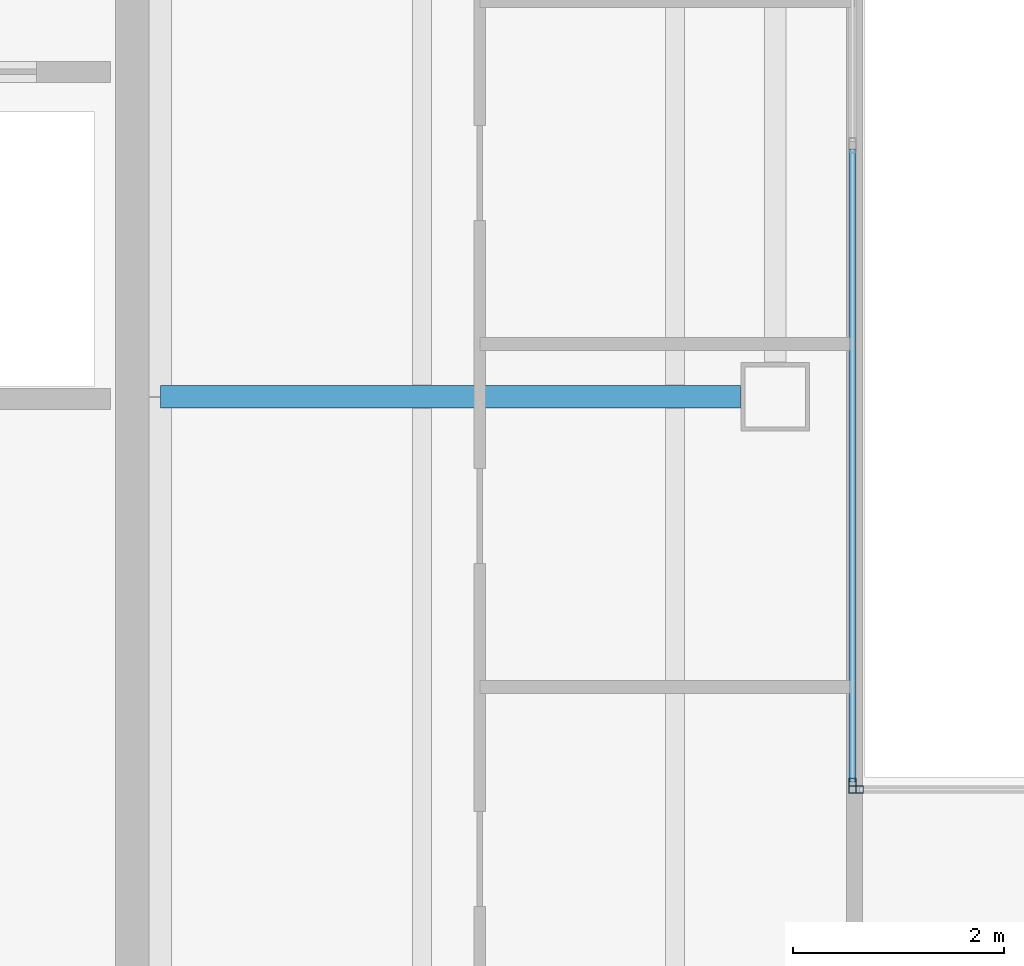
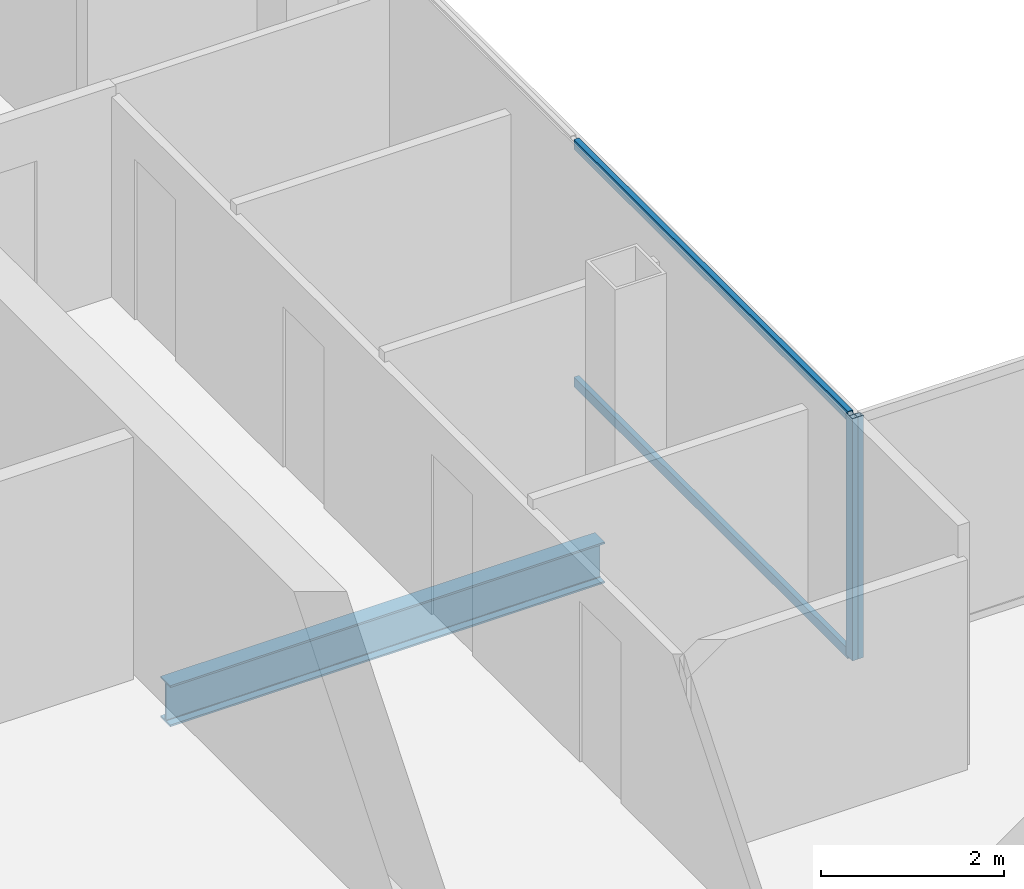
# One storey, part 8 of 23: 4 members, 1 beam, 2 elements without a shape of their own.
"""IFC4 building model written with IfcOpenShell, lengths in metres."""

import ifcopenshell
import ifcopenshell.guid

model = None  # the IFC model being written
_history = None  # IfcOwnerHistory: only IFC2X3 demands one
_inside = {}  # id of a spatial element -> (the spatial element, [elements in it])
_under = {}  # id of a project, library or spatial element -> (it, [spatial elements below it])
_declared = {}  # id of a project -> (the project, [libraries it declares])
_typed = {}  # id of a type object -> (the type object, [elements of that type])
_made_of = {}  # id of a material, layer set ... -> (it, [elements and type objects made of it])


def new_model(schema):
    """Start an empty IFC model of exactly this schema.

    Asked for "IFC4X3", IfcOpenShell would pick the latest addendum, in which some entities
    have other attributes; the version numbers below select the first issue.
    IFC2X3 requires an IfcOwnerHistory on every rooted entity: one is made here for all.
    """
    global model, _history
    if schema == "IFC4X3":
        model = ifcopenshell.file(schema_version=(4, 3, 0, 0))
    else:
        model = ifcopenshell.file(schema=schema)
    _inside.clear()
    _under.clear()
    _declared.clear()
    _typed.clear()
    _made_of.clear()
    _history = None
    if model.schema == "IFC2X3":
        org = make("IfcOrganization", Name="unknown")
        user = make(
            "IfcPersonAndOrganization",
            ThePerson=make("IfcPerson", FamilyName="unknown"),
            TheOrganization=org,
        )
        app = make(
            "IfcApplication",
            ApplicationDeveloper=org,
            Version="unknown",
            ApplicationFullName="unknown",
            ApplicationIdentifier="unknown",
        )
        _history = make(
            "IfcOwnerHistory",
            OwningUser=user,
            OwningApplication=app,
            ChangeAction="ADDED",
            CreationDate=0,
        )
    return model


def make(cls, **values):
    """One entity of the class cls with the attributes given. An attribute that is None is left unset."""
    return model.create_entity(
        cls, **{name: value for name, value in values.items() if value is not None}
    )


def rooted(cls, **values):
    """An entity with a GlobalId (a new one), such as an element, a storey or a relation."""
    return make(cls, GlobalId=ifcopenshell.guid.new(), OwnerHistory=_history, **values)


def si_unit(unit_type, name, prefix=None):
    """IfcSIUnit, for example si_unit("LENGTHUNIT", "METRE", prefix="MILLI")."""
    return make("IfcSIUnit", UnitType=unit_type, Prefix=prefix, Name=name)


def assignment(units):
    """IfcUnitAssignment: the units of a project."""
    return None if units is None else make("IfcUnitAssignment", Units=units)


def point(xyz):
    """IfcCartesianPoint."""
    return None if xyz is None else make("IfcCartesianPoint", Coordinates=xyz)


def direction(xyz):
    """IfcDirection."""
    return None if xyz is None else make("IfcDirection", DirectionRatios=xyz)


def frame(location, z_axis=None, x_axis=None):
    """IfcAxis2Placement3D, a coordinate frame: its origin and axes. An axis left out is left unset."""
    return make(
        "IfcAxis2Placement3D",
        Location=point(location),
        Axis=direction(z_axis),
        RefDirection=direction(x_axis),
    )


def frame_2d(location, x_axis=None):
    """IfcAxis2Placement2D, a coordinate frame in the plane: its origin and x axis."""
    return make(
        "IfcAxis2Placement2D", Location=point(location), RefDirection=direction(x_axis)
    )


def origin():
    """The frame at (0, 0, 0) with its axes left unset."""
    return frame((0.0, 0.0, 0.0))


def origin_2d():
    """The frame at (0, 0) in the plane with its x axis left unset."""
    return frame_2d((0.0, 0.0))


def place(relative_to, where):
    """IfcLocalPlacement: puts the frame where relative to a parent placement (None: the world)."""
    return make(
        "IfcLocalPlacement", PlacementRelTo=relative_to, RelativePlacement=where
    )


def context(
    kind, dimensions, precision=None, world=None, true_north=None, identifier=None
):
    """IfcGeometricRepresentationContext, for example the 3D "Model" context."""
    return make(
        "IfcGeometricRepresentationContext",
        ContextIdentifier=identifier,
        ContextType=kind,
        CoordinateSpaceDimension=dimensions,
        Precision=precision,
        WorldCoordinateSystem=world,
        TrueNorth=true_north,
    )


def subcontext(parent, identifier, kind, view, scale=None):
    """IfcGeometricRepresentationSubContext, for example "Body" below "Model"."""
    return make(
        "IfcGeometricRepresentationSubContext",
        ContextIdentifier=identifier,
        ContextType=kind,
        ParentContext=parent,
        TargetScale=scale,
        TargetView=view,
    )


def project(units=None, contexts=None):
    """IfcProject with its units and contexts."""
    return rooted(
        "IfcProject",
        Name="project",
        RepresentationContexts=contexts,
        UnitsInContext=assignment(units),
    )


def spatial(cls, under=None, at=None, **own):
    """A site, building, storey or space (cls), placed at a placement, below another one or the project."""
    s = rooted(cls, ObjectPlacement=at, **own)
    if under is not None:
        _under.setdefault(under.id(), (under, []))[1].append(s)
    return s


def profile(cls, at=None, kind="AREA", **sizes):
    """A parametric profile (cls). Its sizes go by their IFC names, for example OverallWidth=200.0."""
    return make(cls, ProfileType=kind, Position=at, **sizes)


def hollow_rectangle(**sizes):
    """IfcRectangleHollowProfileDef."""
    return profile("IfcRectangleHollowProfileDef", **sizes)


def i_section(**sizes):
    """IfcIShapeProfileDef."""
    return profile("IfcIShapeProfileDef", **sizes)


def extrude(swept, where, along, depth):
    """IfcExtrudedAreaSolid: the profile swept, set in the frame where, extruded along a direction by depth."""
    return make(
        "IfcExtrudedAreaSolid",
        SweptArea=swept,
        Position=where,
        ExtrudedDirection=direction(along),
        Depth=depth,
    )


def shape(context_of_items, identifier, shape_type, items):
    """IfcShapeRepresentation: the items that make up one representation, for example the "Body"."""
    return make(
        "IfcShapeRepresentation",
        ContextOfItems=context_of_items,
        RepresentationIdentifier=identifier,
        RepresentationType=shape_type,
        Items=items,
    )


def material(Name=None, Category=None):
    """IfcMaterial."""
    return make("IfcMaterial", Name=Name, Category=Category)


def material_profile(
    of_material, cross_section, Name=None, Category=None, Priority=None
):
    """IfcMaterialProfile: a cross section and its material."""
    return make(
        "IfcMaterialProfile",
        Name=Name,
        Material=of_material,
        Profile=cross_section,
        Priority=Priority,
        Category=Category,
    )


def profile_set(profiles, Name=None, composite=None):
    """IfcMaterialProfileSet."""
    return make(
        "IfcMaterialProfileSet",
        Name=Name,
        MaterialProfiles=profiles,
        CompositeProfile=composite,
    )


def made_of(thing, what):
    """Note that an element or type object is made of a material, layer set ...; save() writes the relation."""
    if what is not None:
        _made_of.setdefault(what.id(), (what, []))[1].append(thing)
    return thing


def type_object(cls, material=None, **own):
    """A type object (cls), such as IfcWallType, which elements share."""
    return made_of(rooted(cls, **own), material)


def element(
    cls,
    number,
    at=None,
    inside=None,
    cuts=None,
    type_object=None,
    material=None,
    context=None,
    identifier="Body",
    shape_type=None,
    held_by="IfcProductDefinitionShape",
    body=None,
    shapes=None,
    **own,
):
    """One element of the class cls, such as IfcWall. Its Tag is "e" and its number.

    at: its placement. inside: the storey or other place that contains it. cuts: it is an
    opening in that element (IfcRelVoidsElement). A single representation is given by context,
    identifier, shape_type and body (its items); several are given by shapes. held_by: the class
    of the entity that holds the representations. save() writes the other relations.
    """
    e = rooted(cls, Tag="e%d" % number, ObjectPlacement=at, **own)
    if body is not None:
        shapes = [shape(context, identifier, shape_type, body)]
    if shapes is not None:
        e.Representation = make(held_by, Representations=shapes)
    if inside is not None:
        _inside.setdefault(inside.id(), (inside, []))[1].append(e)
    if cuts is not None:
        rooted(
            "IfcRelVoidsElement", RelatingBuildingElement=cuts, RelatedOpeningElement=e
        )
    if type_object is not None:
        _typed.setdefault(type_object.id(), (type_object, []))[1].append(e)
    return made_of(e, material)


def aggregate(whole, parts):
    """IfcRelAggregates: a whole, such as a stair, and the parts it consists of."""
    return rooted("IfcRelAggregates", RelatingObject=whole, RelatedObjects=parts)


def save(model, path):
    """Write the relations noted so far, then the file.

    IfcRelAggregates (storeys below a building ...), IfcRelContainedInSpatialStructure (elements
    in a storey), IfcRelDefinesByType, IfcRelAssociatesMaterial and IfcRelDeclares: one each for
    every whole, place, type object, material and project.
    """
    for whole, parts in _under.values():
        aggregate(whole, parts)
    for where, things in _inside.values():
        rooted(
            "IfcRelContainedInSpatialStructure",
            RelatedElements=things,
            RelatingStructure=where,
        )
    for kind, things in _typed.values():
        rooted("IfcRelDefinesByType", RelatedObjects=things, RelatingType=kind)
    for what, things in _made_of.values():
        rooted("IfcRelAssociatesMaterial", RelatedObjects=things, RelatingMaterial=what)
    for by, libraries in _declared.values():
        rooted("IfcRelDeclares", RelatingContext=by, RelatedDefinitions=libraries)
    model.write(path)


model = new_model("IFC4")

# Units and contexts
model_context = context("Model", 3, precision=1e-05, world=origin(), true_north=direction((0.0, 1.0)))
body_context = subcontext(model_context, "Body", "Model", "MODEL_VIEW")
ifc_project = project(units=[si_unit("LENGTHUNIT", "METRE"), si_unit("AREAUNIT", "SQUARE_METRE"), si_unit("VOLUMEUNIT", "CUBIC_METRE"), si_unit("PLANEANGLEUNIT", "RADIAN"), si_unit("MASSUNIT", "GRAM", prefix="KILO")], contexts=[model_context])

# Site, building, storey
site_placement = place(None, origin())
site = spatial("IfcSite", under=ifc_project, at=site_placement, CompositionType="ELEMENT")
building_placement = place(site_placement, origin())
building = spatial("IfcBuilding", under=site, at=building_placement, Name="Cobrela Telecom Tower", CompositionType="ELEMENT")
storey_placement = place(building_placement, frame((0.0, 0.0, 262.14990234375)))
storey = spatial("IfcBuildingStorey", under=building, at=storey_placement, Name="L68", CompositionType="ELEMENT", Elevation=262.14990234375)

# Beam
ifc_material_1 = material(Name="Steel ASTM A992 Grade 50", Category="steel")
ifc_material_profile_1 = material_profile(ifc_material_1, i_section(OverallWidth=0.212890625, OverallDepth=0.549072265625, WebThickness=0.0146484375, FlangeThickness=0.023681640625, FilletRadius=0.013916015625, at=origin_2d()), Name="W21X93")
ifc_profile_set_1 = profile_set([ifc_material_profile_1], Name="Steel ASTM A992 Grade 50")
beam_type = type_object("IfcBeamType", Name="BM-GIRD-08", PredefinedType="USERDEFINED", material=ifc_profile_set_1)
beam_placement = place(storey_placement, frame((14.324951171875, 28.800048828125, -0.534423828125), z_axis=(1.0, 0.0, 0.0), x_axis=(0.0, 1.0, 0.0)))
element("IfcBeam", 1, at=beam_placement, inside=storey, type_object=beam_type, Name="L68 Primary Girder X15", ObjectType="GIRDER", PredefinedType="USERDEFINED", context=body_context, shape_type="SweptSolid", body=[
    extrude(i_section(OverallWidth=0.212890625, OverallDepth=0.549072265625, WebThickness=0.0146484375, FlangeThickness=0.023681640625, FilletRadius=0.013916015625, at=origin_2d()), origin(), (0.0, 0.0, 1.0), 5.4951171875),
])

# Curtain wall, member
ifc_material_2 = material(Name="Anodized Bronze Aluminium 6063-T6", Category="aluminium")
curtain_wall_type = type_object("IfcCurtainWallType", Name="CW-SYS-OFF-HI", PredefinedType="USERDEFINED", material=ifc_material_2)
curtain_wall_1_placement = place(storey_placement, origin())
curtain_wall_1 = element("IfcCurtainWall", 2, at=curtain_wall_1_placement, inside=storey, type_object=curtain_wall_type, Name="L68 Unitised Bronze Curtain Wall 08", ObjectType="UNITISED CURTAIN WALL", PredefinedType="USERDEFINED")
ifc_material_profile_2 = material_profile(ifc_material_2, hollow_rectangle(XDim=0.070068359375, YDim=0.139892578125, WallThickness=0.00390625, at=origin_2d()), Name="ALU 70x140x4")
ifc_profile_set_2 = profile_set([ifc_material_profile_2], Name="Anodized Bronze Aluminium 6063-T6")
member_type_1 = type_object("IfcMemberType", Name="CW-SYS-OFF-HI-MUL", PredefinedType="MULLION", material=ifc_profile_set_2)
member_1_placement = place(storey_placement, frame((20.8798828125, 25.114990234375, 0.0), z_axis=(0.0, 0.0, 1.0), x_axis=(1.0, 0.0, 0.0)))
member_1 = element("IfcMember", 3, at=member_1_placement, type_object=member_type_1, Name="CW-OFF-HI mullion 3", PredefinedType="MULLION", context=body_context, shape_type="SweptSolid", body=[
    extrude(hollow_rectangle(XDim=0.070068359375, YDim=0.139892578125, WallThickness=0.00390625, at=origin_2d()), origin(), (0.0, 0.0, 1.0), 3.239990234375),
])

curtain_wall_2_placement = place(storey_placement, origin())
curtain_wall_2 = element("IfcCurtainWall", 4, at=curtain_wall_2_placement, inside=storey, type_object=curtain_wall_type, Name="L68 Unitised Bronze Curtain Wall 09", ObjectType="UNITISED CURTAIN WALL", PredefinedType="USERDEFINED")
member_2_placement = place(storey_placement, frame((20.9150390625, 25.080078125, 0.0), z_axis=(0.0, 0.0, 1.0), x_axis=(0.0, 1.0, 0.0)))
member_2 = element("IfcMember", 5, at=member_2_placement, type_object=member_type_1, Name="CW-OFF-HI mullion 1", PredefinedType="MULLION", context=body_context, shape_type="SweptSolid", body=[
    extrude(hollow_rectangle(XDim=0.070068359375, YDim=0.139892578125, WallThickness=0.00390625, at=origin_2d()), origin(), (0.0, 0.0, 1.0), 3.239990234375),
])
aggregate(curtain_wall_2, [member_2])

# Member
ifc_material_profile_3 = material_profile(ifc_material_2, hollow_rectangle(XDim=0.06494140625, YDim=0.1298828125, WallThickness=0.00390625, at=origin_2d()), Name="ALU 65x130x4")
ifc_profile_set_3 = profile_set([ifc_material_profile_3], Name="Anodized Bronze Aluminium 6063-T6")
member_type_2 = type_object("IfcMemberType", Name="CW-SYS-OFF-HI-TRN", PredefinedType="USERDEFINED", material=ifc_profile_set_3)
member_3_placement = place(storey_placement, frame((20.8798828125, 31.14990234375, 0.03271484375), z_axis=(0.0, -1.0, 0.0), x_axis=(1.0, 0.0, 0.0)))
member_3 = element("IfcMember", 6, at=member_3_placement, type_object=member_type_2, Name="CW-OFF-HI transom 2.1", ObjectType="TRANSOM", PredefinedType="USERDEFINED", context=body_context, shape_type="SweptSolid", body=[
    extrude(hollow_rectangle(XDim=0.06494140625, YDim=0.1298828125, WallThickness=0.00390625, at=origin_2d()), origin(), (0.0, 0.0, 1.0), 6.0),
])

member_4_placement = place(storey_placement, frame((20.8798828125, 31.14990234375, 3.20751953125), z_axis=(0.0, -1.0, 0.0), x_axis=(1.0, 0.0, 0.0)))
member_4 = element("IfcMember", 7, at=member_4_placement, type_object=member_type_2, Name="CW-OFF-HI transom 2.2", ObjectType="TRANSOM", PredefinedType="USERDEFINED", context=body_context, shape_type="SweptSolid", body=[
    extrude(hollow_rectangle(XDim=0.06494140625, YDim=0.1298828125, WallThickness=0.00390625, at=origin_2d()), origin(), (0.0, 0.0, 1.0), 6.0),
])

aggregate(curtain_wall_1, [member_1, member_3, member_4])

save(model, "model.ifc")
